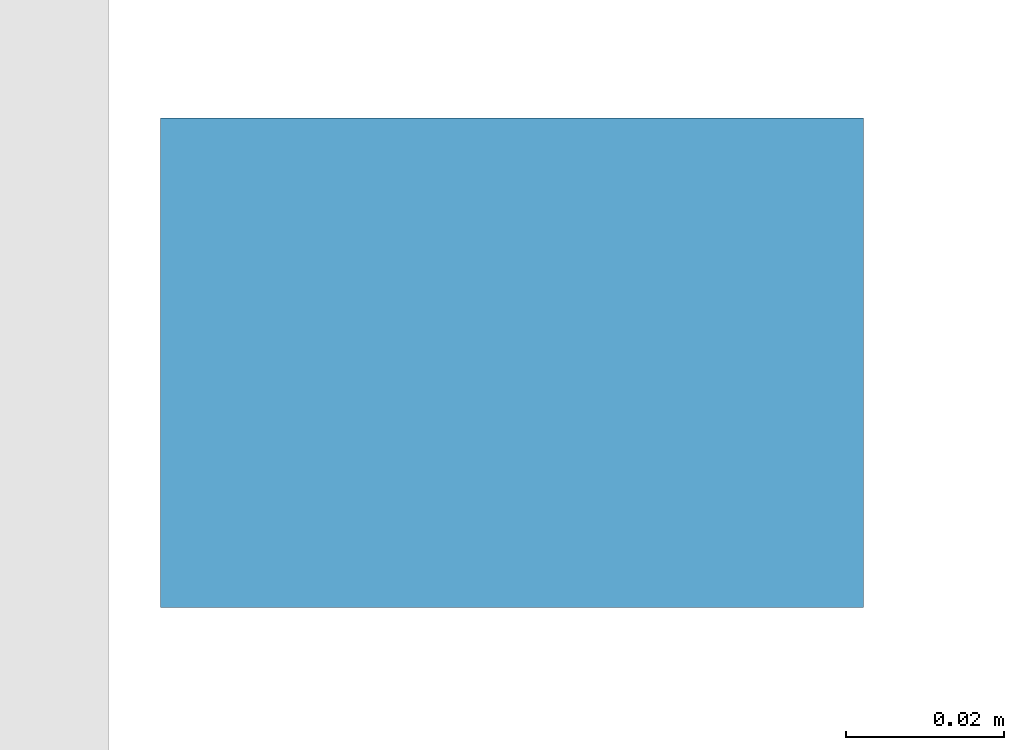
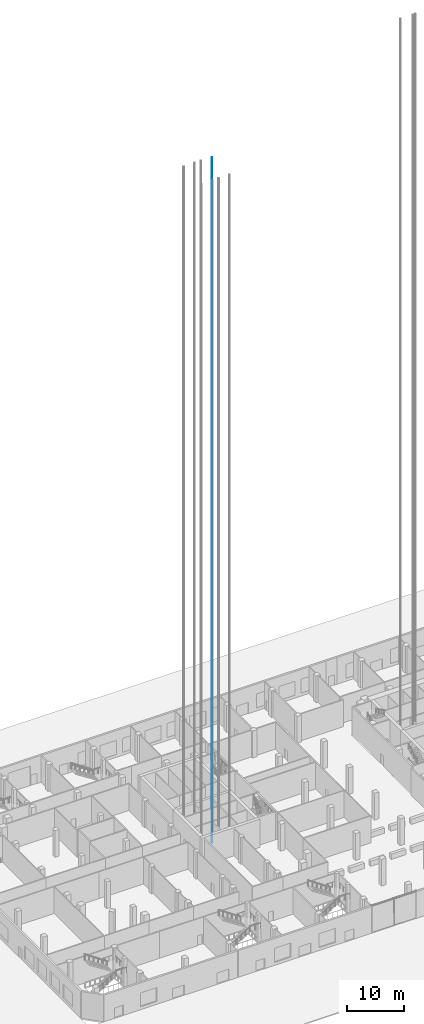
# One storey, part 9 of 55: 1 member.
"""IFC4 building model written with IfcOpenShell, lengths in metres."""

from ifc_helpers import new_model, si_unit, direction, frame, origin, origin_2d, place, context, subcontext, project, spatial, rectangle, extrude, material, material_profile, profile_set, type_object, element, save


model = new_model("IFC4")

# Units and contexts
model_context = context("Model", 3, precision=1e-05, world=origin(), true_north=direction((0.0, 1.0)))
body_context = subcontext(model_context, "Body", "Model", "MODEL_VIEW")
ifc_project = project(units=[si_unit("LENGTHUNIT", "METRE"), si_unit("AREAUNIT", "SQUARE_METRE"), si_unit("VOLUMEUNIT", "CUBIC_METRE"), si_unit("PLANEANGLEUNIT", "RADIAN"), si_unit("MASSUNIT", "GRAM", prefix="KILO")], contexts=[model_context])

# Site, building, storey
site_placement = place(None, origin())
site = spatial("IfcSite", under=ifc_project, at=site_placement, CompositionType="ELEMENT")
building_placement = place(site_placement, origin())
building = spatial("IfcBuilding", under=site, at=building_placement, Name="Cinnabar Reach Civic Tower", CompositionType="ELEMENT")
storey_placement = place(building_placement, origin())
storey = spatial("IfcBuildingStorey", under=building, at=storey_placement, Name="L00", CompositionType="ELEMENT", Elevation=0.0)

# Member
ifc_material = material(Name="Steel Q355B", Category="steel")
ifc_material_profile = material_profile(ifc_material, rectangle(XDim=0.089, YDim=0.062, at=origin_2d()), Name="T89")
ifc_profile_set = profile_set([ifc_material_profile], Name="Steel Q355B")
member_type = type_object("IfcMemberType", Name="Lift guide rail T89", PredefinedType="MEMBER", material=ifc_profile_set)
member_placement = place(storey_placement, frame((-35.649, 28.875, -2.5), z_axis=(0.0, 0.0, 1.0), x_axis=(1.0, 0.0, 0.0)))
element("IfcMember", 1, at=member_placement, inside=storey, type_object=member_type, Name="Lift guide rail 2", PredefinedType="MEMBER", context=body_context, shape_type="SweptSolid", body=[
    extrude(rectangle(XDim=0.089, YDim=0.062, at=origin_2d()), origin(), (0.0, 0.0, 1.0), 146.05),
])

save(model, "model.ifc")
